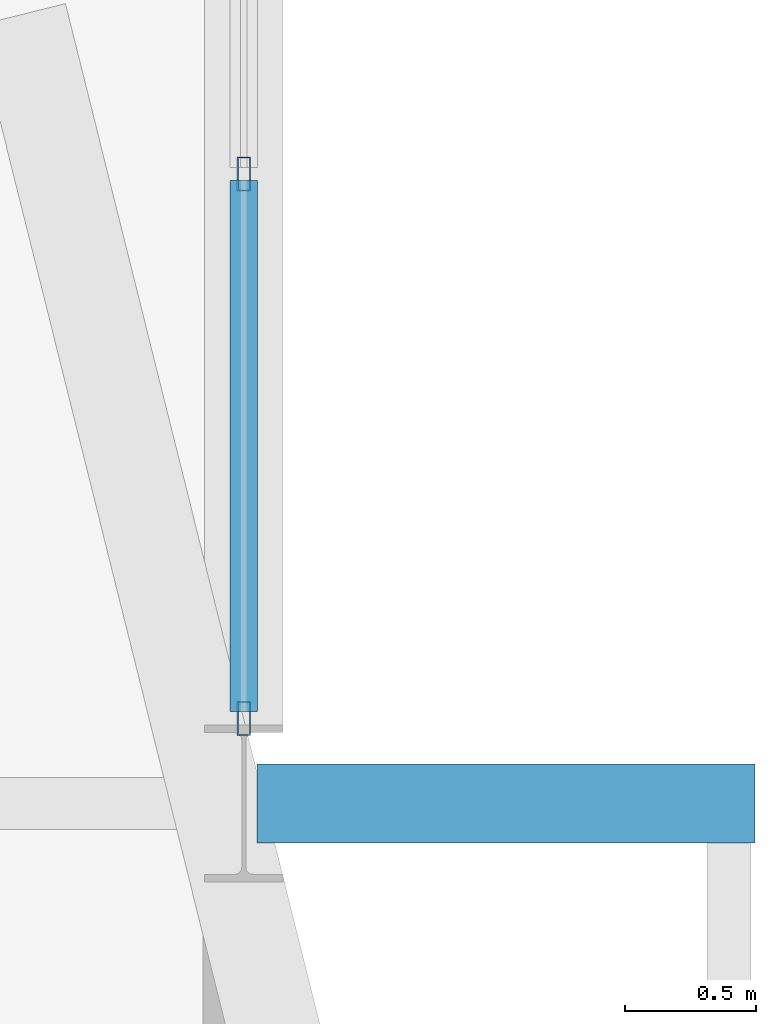
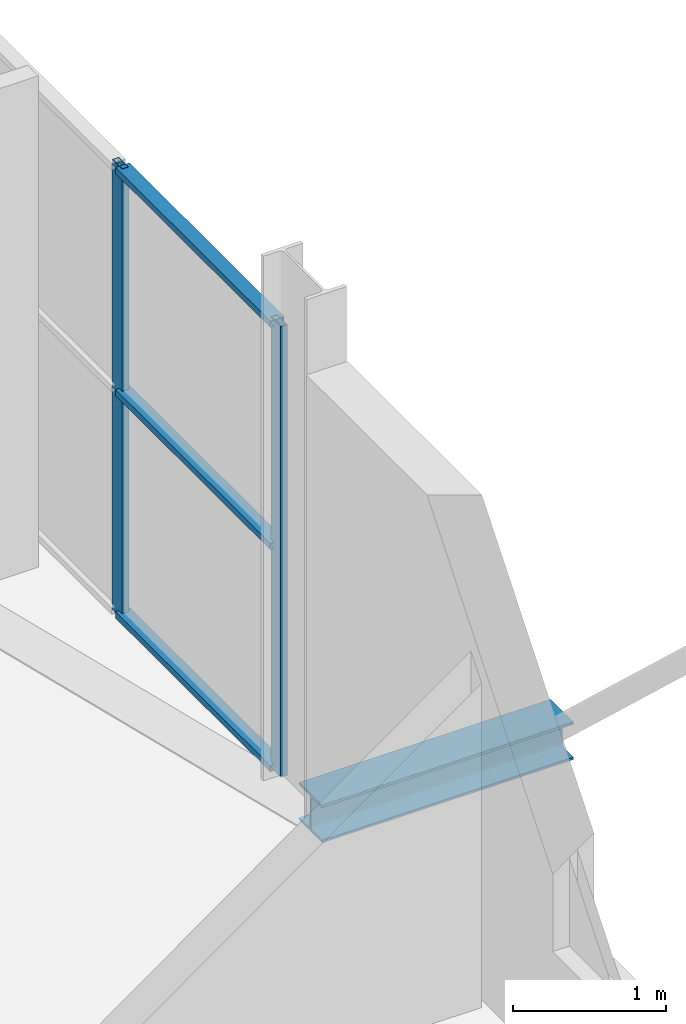
# One storey, part 53 of 103: 5 members, 1 beam, 1 element without a shape of its own.
"""IFC4 building model written with IfcOpenShell, lengths in metres."""

from ifc_helpers import new_model, si_unit, direction, frame, origin, origin_2d, place, context, subcontext, project, spatial, hollow_rectangle, i_section, extrude, material, layer, layer_set, material_profile, profile_set, type_object, element, aggregate, save


model = new_model("IFC4")

# Units and contexts
model_context = context("Model", 3, precision=1e-05, world=origin(), true_north=direction((0.0, 1.0)))
body_context = subcontext(model_context, "Body", "Model", "MODEL_VIEW")
ifc_project = project(units=[si_unit("LENGTHUNIT", "METRE"), si_unit("AREAUNIT", "SQUARE_METRE"), si_unit("VOLUMEUNIT", "CUBIC_METRE"), si_unit("PLANEANGLEUNIT", "RADIAN"), si_unit("MASSUNIT", "GRAM", prefix="KILO")], contexts=[model_context])

# Site, building, storey
site_placement = place(None, origin())
site = spatial("IfcSite", under=ifc_project, at=site_placement, CompositionType="ELEMENT")
building_placement = place(site_placement, origin())
building = spatial("IfcBuilding", under=site, at=building_placement, Name="Deido Ridge Mobility Hub", CompositionType="ELEMENT")
storey_placement = place(building_placement, frame((0.0, 0.0, 12.60009765625)))
storey = spatial("IfcBuildingStorey", under=building, at=storey_placement, Name="L03", CompositionType="ELEMENT", Elevation=12.60009765625)

# Curtain wall, members
ifc_material_1 = material(Name="Anodised aluminium EN AW-6063 T6", Category="aluminium")
ifc_layer = layer(ifc_material_1, 0.1650390625, Name="Anodised aluminium EN AW-6063 T6")
ifc_layer_set = layer_set([ifc_layer], Name="Anodised aluminium EN AW-6063 T6")
curtain_wall_type = type_object("IfcCurtainWallType", Name="CW-UF-1", PredefinedType="USERDEFINED", material=ifc_layer_set)
curtain_wall_placement = place(storey_placement, origin())
curtain_wall = element("IfcCurtainWall", 1, at=curtain_wall_placement, inside=storey, type_object=curtain_wall_type, Name="Unitised curtain wall CW1", ObjectType="UNITISED FACADE", PredefinedType="USERDEFINED")
ifc_material_profile_1 = material_profile(ifc_material_1, hollow_rectangle(XDim=0.050048828125, YDim=0.1298828125, WallThickness=0.00390625, at=origin_2d()), Name="RHS 50x130x4")
ifc_profile_set_1 = profile_set([ifc_material_profile_1], Name="Anodised aluminium EN AW-6063 T6")
member_type_1 = type_object("IfcMemberType", Name="MEM-MUL-50X130", PredefinedType="MULLION", material=ifc_profile_set_1)
member_1_placement = place(storey_placement, frame((180.0, 27.324951171875, 0.0), z_axis=(0.0, 0.0, 1.0), x_axis=(-1.0, 0.0, 0.0)))
member_1 = element("IfcMember", 2, at=member_1_placement, type_object=member_type_1, Name="CW1 mullion 1", PredefinedType="MULLION", context=body_context, shape_type="SweptSolid", body=[
    extrude(hollow_rectangle(XDim=0.050048828125, YDim=0.1298828125, WallThickness=0.00390625, at=origin_2d()), origin(), (0.0, 0.0, 1.0), 3.599853515625),
])
member_2_placement = place(storey_placement, frame((180.0, 29.39990234375, 0.0), z_axis=(0.0, 0.0, 1.0), x_axis=(-1.0, 0.0, 0.0)))
member_2 = element("IfcMember", 3, at=member_2_placement, type_object=member_type_1, Name="CW1 mullion 2", PredefinedType="MULLION", context=body_context, shape_type="SweptSolid", body=[
    extrude(hollow_rectangle(XDim=0.050048828125, YDim=0.1298828125, WallThickness=0.00390625, at=origin_2d()), origin(), (0.0, 0.0, 1.0), 3.599853515625),
])
ifc_material_profile_2 = material_profile(ifc_material_1, hollow_rectangle(XDim=0.10498046875, YDim=0.050048828125, WallThickness=0.00390625, at=origin_2d()), Name="RHS 105x50x4")
ifc_profile_set_2 = profile_set([ifc_material_profile_2], Name="Anodised aluminium EN AW-6063 T6")
member_type_2 = type_object("IfcMemberType", Name="MEM-TRN-105X50", PredefinedType="USERDEFINED", material=ifc_profile_set_2)
member_3_placement = place(storey_placement, frame((180.0, 27.35009765625, 0.02490234375), z_axis=(0.0, 1.0, 0.0), x_axis=(-1.0, 0.0, 0.0)))
member_3 = element("IfcMember", 4, at=member_3_placement, type_object=member_type_2, Name="CW1 transom 1.1", ObjectType="TRANSOM", PredefinedType="USERDEFINED", context=body_context, shape_type="SweptSolid", body=[
    extrude(hollow_rectangle(XDim=0.10498046875, YDim=0.050048828125, WallThickness=0.00390625, at=origin_2d()), origin(), (0.0, 0.0, 1.0), 2.02490234375),
])
member_4_placement = place(storey_placement, frame((180.0, 27.35009765625, 1.7998046875), z_axis=(0.0, 1.0, 0.0), x_axis=(-1.0, 0.0, 0.0)))
member_4 = element("IfcMember", 5, at=member_4_placement, type_object=member_type_2, Name="CW1 transom 1.2", ObjectType="TRANSOM", PredefinedType="USERDEFINED", context=body_context, shape_type="SweptSolid", body=[
    extrude(hollow_rectangle(XDim=0.10498046875, YDim=0.050048828125, WallThickness=0.00390625, at=origin_2d()), origin(), (0.0, 0.0, 1.0), 2.02490234375),
])
member_5_placement = place(storey_placement, frame((180.0, 27.35009765625, 3.574951171875), z_axis=(0.0, 1.0, 0.0), x_axis=(-1.0, 0.0, 0.0)))
member_5 = element("IfcMember", 6, at=member_5_placement, type_object=member_type_2, Name="CW1 transom 1.3", ObjectType="TRANSOM", PredefinedType="USERDEFINED", context=body_context, shape_type="SweptSolid", body=[
    extrude(hollow_rectangle(XDim=0.10498046875, YDim=0.050048828125, WallThickness=0.00390625, at=origin_2d()), origin(), (0.0, 0.0, 1.0), 2.02490234375),
])
aggregate(curtain_wall, [member_1, member_2, member_3, member_4, member_5])

# Beam
ifc_material_2 = material(Name="Steel S355J2 EN 10025-2", Category="steel")
ifc_material_profile_3 = material_profile(ifc_material_2, i_section(OverallWidth=0.300048828125, OverallDepth=0.300048828125, WebThickness=0.010986328125, FlangeThickness=0.01904296875, FilletRadius=0.027099609375, at=origin_2d()), Name="HEB 300")
ifc_profile_set_3 = profile_set([ifc_material_profile_3], Name="Steel S355J2 EN 10025-2")
beam_type = type_object("IfcBeamType", Name="SPD-HEB300", PredefinedType="SPANDREL", material=ifc_profile_set_3)
beam_placement = place(storey_placement, frame((180.050048828125, 27.0, -0.150146484375), z_axis=(1.0, 0.0, 0.0), x_axis=(0.0, 1.0, 0.0)))
element("IfcBeam", 7, at=beam_placement, inside=storey, type_object=beam_type, Name="Exoskeleton outrigger beam SP1", PredefinedType="SPANDREL", context=body_context, shape_type="SweptSolid", body=[
    extrude(i_section(OverallWidth=0.300048828125, OverallDepth=0.300048828125, WebThickness=0.010986328125, FlangeThickness=0.01904296875, FilletRadius=0.027099609375, at=origin_2d()), origin(), (0.0, 0.0, 1.0), 1.89990234375),
])

save(model, "model.ifc")
